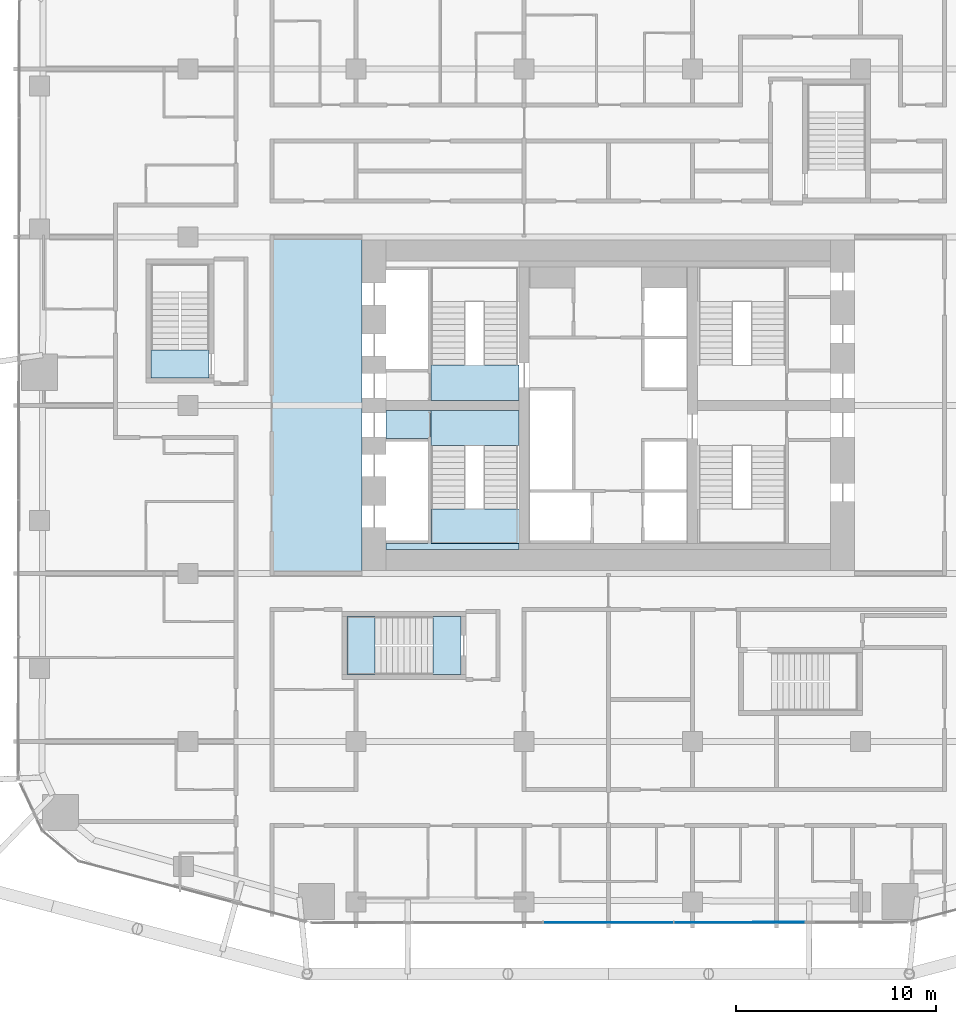
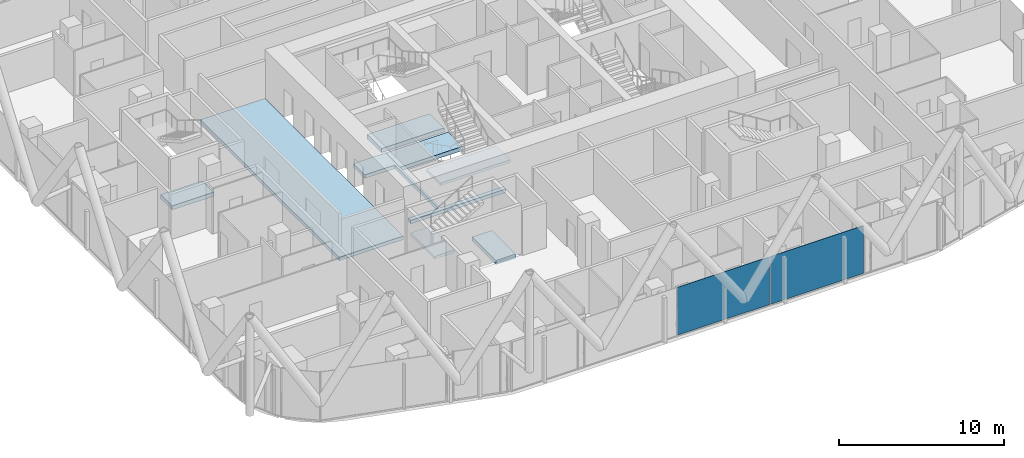
# One storey, part 21 of 38: 8 slabs, 2 plates, 3 elements without a shape of their own.
"""IFC4 building model written with IfcOpenShell, lengths in metres."""

from ifc_helpers import new_model, si_unit, direction, frame, origin, origin_2d, place, context, subcontext, project, spatial, polyline, rectangle, outline, extrude, material, layer, layer_set, type_object, element, aggregate, save


model = new_model("IFC4")

# Units and contexts
model_context = context("Model", 3, precision=1e-05, world=origin(), true_north=direction((0.0, 1.0)))
body_context = subcontext(model_context, "Body", "Model", "MODEL_VIEW")
ifc_project = project(units=[si_unit("LENGTHUNIT", "METRE"), si_unit("AREAUNIT", "SQUARE_METRE"), si_unit("VOLUMEUNIT", "CUBIC_METRE"), si_unit("PLANEANGLEUNIT", "RADIAN"), si_unit("MASSUNIT", "GRAM", prefix="KILO")], contexts=[model_context])

# Site, building, storey
site_placement = place(None, origin())
site = spatial("IfcSite", under=ifc_project, at=site_placement, CompositionType="ELEMENT")
building_placement = place(site_placement, origin())
building = spatial("IfcBuilding", under=site, at=building_placement, Name="Marenta Gate Hotel Tower", CompositionType="ELEMENT")
storey_placement = place(building_placement, frame((0.0, 0.0, 68.89990234375)))
storey = spatial("IfcBuildingStorey", under=building, at=storey_placement, Name="L15", CompositionType="ELEMENT", Elevation=68.89990234375)

# Slabs
ifc_material_1 = material(Name="Concrete C40", Category="concrete")
ifc_layer_1 = layer(ifc_material_1, 0.260009765625)
ifc_layer_set_1 = layer_set([ifc_layer_1], Name="Concrete C40")
slab_type_1 = type_object("IfcSlabType", Name="Core floor slab 260", PredefinedType="FLOOR", material=ifc_layer_set_1)
slab_1_placement = place(storey_placement, frame((0.0, 0.0, -0.260009765625)))
element("IfcSlab", 1, at=slab_1_placement, inside=storey, type_object=slab_type_1, Name="L15-CF-5", PredefinedType="FLOOR", context=body_context, shape_type="SweptSolid", body=[
    extrude(outline(polyline([(-9.0, 1.5), (-9.0, 1.64990234375), (-9.0, 4.050048828125), (-9.0, 4.199951171875), (-9.0, 6.60009765625), (-9.0, 6.75), (-11.10009765625, 6.75), (-11.10009765625, 8.14990234375), (-8.85009765625, 8.14990234375), (-8.85009765625, 8.10009765625), (-8.85009765625, 6.39990234375), (-8.85009765625, 1.5), (-4.449951171875, 1.5), (-4.449951171875, 1.199951171875), (-11.10009765625, 1.199951171875), (-11.10009765625, 1.5), (-9.0, 1.5)])), origin(), (0.0, 0.0, 1.0), 0.260009765625),
])
slab_2_placement = place(storey_placement, frame((0.0, 0.0, -0.260009765625)))
element("IfcSlab", 2, at=slab_2_placement, inside=storey, type_object=slab_type_1, Name="L15-CF-7", PredefinedType="FLOOR", context=body_context, shape_type="SweptSolid", body=[
    extrude(outline(polyline([(-12.300048828125, 16.800048828125), (-12.300048828125, 0.0), (-16.800048828125, 0.0), (-16.800048828125, 16.800048828125), (-12.300048828125, 16.800048828125)])), origin(), (0.0, 0.0, 1.0), 0.260009765625),
])

# Stair, slab
ifc_material_2 = material(Name="Concrete C40", Category="concrete")
stair_type_1 = type_object("IfcStairType", Name="Core exit stair 1700 wide", PredefinedType="HALF_TURN_STAIR", material=ifc_material_2)
stair_1_placement = place(storey_placement, origin())
stair_1 = element("IfcStair", 3, at=stair_1_placement, inside=storey, type_object=stair_type_1, Name="Exit stair 1", PredefinedType="HALF_TURN_STAIR")
ifc_material_3 = material(Name="Concrete C40", Category="concrete")
ifc_layer_2 = layer(ifc_material_3, 0.199951171875)
ifc_layer_set_2 = layer_set([ifc_layer_2], Name="Concrete C40")
slab_type_2 = type_object("IfcSlabType", Name="Core stair landing 200", PredefinedType="LANDING", material=ifc_layer_set_2)
slab_3_placement = place(storey_placement, frame((0.0, 0.0, 1.60009765625)))
slab_3 = element("IfcSlab", 4, at=slab_3_placement, type_object=slab_type_2, Name="SL-200 ST1 landing 1", PredefinedType="LANDING", context=body_context, shape_type="SweptSolid", body=[
    extrude(outline(polyline([(-8.85009765625, 1.5), (-3.949951171875, 1.5), (-3.949951171875, 3.2099609375), (-8.85009765625, 3.2099609375), (-8.85009765625, 1.5)])), origin(), (0.0, 0.0, 1.0), 0.199951171875),
])
aggregate(stair_1, [slab_3])

# Curtain wall, plates
ifc_material_4 = material(Name="Tinted insulated glass in bronze anodised frame", Category="glass")
ifc_layer_3 = layer(ifc_material_4, 0.1201171875)
ifc_layer_set_3 = layer_set([ifc_layer_3], Name="Tinted insulated glass in bronze anodised frame")
curtain_wall_type = type_object("IfcCurtainWallType", Name="Tower unitised curtain wall CW1", PredefinedType="NOTDEFINED", material=ifc_layer_set_3)
curtain_wall_placement = place(storey_placement, origin())
curtain_wall = element("IfcCurtainWall", 5, at=curtain_wall_placement, inside=storey, type_object=curtain_wall_type, Name="CW1 run G20", PredefinedType="NOTDEFINED")
ifc_material_5 = material(Name="Tinted insulated glass", Category="glass")
ifc_layer_4 = layer(ifc_material_5, 0.028076171875)
ifc_layer_set_4 = layer_set([ifc_layer_4], Name="Tinted insulated glass")
plate_type = type_object("IfcPlateType", Name="Glass panel CW1 28 mm tinted insulated unit", PredefinedType="CURTAIN_PANEL", material=ifc_layer_set_4)
plate_1_placement = place(storey_placement, frame((0.007080078125, -17.430419921875, 0.06005859375), z_axis=(0.0, 0.0, 1.0), x_axis=(0.999999323345, 0.001163317936, 0.0)))
plate_1 = element("IfcPlate", 6, at=plate_1_placement, type_object=plate_type, Name="CW1 panel 2.1", PredefinedType="CURTAIN_PANEL", context=body_context, shape_type="SweptSolid", body=[
    extrude(rectangle(XDim=6.47314453125, YDim=0.028076171875, at=origin_2d()), origin(), (0.0, 0.0, 1.0), 3.5400390625),
])
plate_2_placement = place(storey_placement, frame((6.55517578125, -17.4228515625, 0.06005859375), z_axis=(0.0, 0.0, 1.0), x_axis=(0.999999323345, 0.001163317936, 0.0)))
plate_2 = element("IfcPlate", 7, at=plate_2_placement, type_object=plate_type, Name="CW1 panel 3.1", PredefinedType="CURTAIN_PANEL", context=body_context, shape_type="SweptSolid", body=[
    extrude(rectangle(XDim=6.5029296875, YDim=0.028076171875, at=origin_2d()), origin(), (0.0, 0.0, 1.0), 3.5400390625),
])
aggregate(curtain_wall, [plate_1, plate_2])

# Stair, slab
ifc_material_6 = material(Name="Concrete C40", Category="concrete")
stair_type_2 = type_object("IfcStairType", Name="Remote exit stair 1400 wide", PredefinedType="HALF_TURN_STAIR", material=ifc_material_6)
stair_2_placement = place(storey_placement, origin())
stair_2 = element("IfcStair", 8, at=stair_2_placement, inside=storey, type_object=stair_type_2, Name="Exit stair RS-Z1-2", PredefinedType="HALF_TURN_STAIR")
ifc_material_7 = material(Name="Concrete C40", Category="concrete")
ifc_layer_5 = layer(ifc_material_7, 0.199951171875)
ifc_layer_set_5 = layer_set([ifc_layer_5], Name="Concrete C40")
slab_type_3 = type_object("IfcSlabType", Name="Remote stair landing 200", PredefinedType="LANDING", material=ifc_layer_set_5)
slab_4_placement = place(storey_placement, frame((0.0, 0.0, 1.60009765625)))
slab_4 = element("IfcSlab", 9, at=slab_4_placement, type_object=slab_type_3, Name="RL-200 RS-Z1-2 landing 1", PredefinedType="LANDING", context=body_context, shape_type="SweptSolid", body=[
    extrude(outline(polyline([(-13.050048828125, -5.050048828125), (-11.64990234375, -5.050048828125), (-11.64990234375, -2.14990234375), (-13.050048828125, -2.14990234375), (-13.050048828125, -5.050048828125)])), origin(), (0.0, 0.0, 1.0), 0.199951171875),
])
aggregate(stair_2, [slab_4])

# Slabs
ifc_material_8 = material(Name="Concrete C40", Category="concrete")
ifc_layer_6 = layer(ifc_material_8, 0.300048828125)
ifc_layer_set_6 = layer_set([ifc_layer_6], Name="Concrete C40")
slab_type_4 = type_object("IfcSlabType", Name="Stair floor landing slab 300", PredefinedType="FLOOR", material=ifc_layer_set_6)
slab_5_placement = place(storey_placement, frame((0.0, 0.0, -0.2998046875)))
element("IfcSlab", 10, at=slab_5_placement, inside=storey, type_object=slab_type_4, Name="L15-CL-ST1-1", PredefinedType="FLOOR", context=body_context, shape_type="SweptSolid", body=[
    extrude(outline(polyline([(-4.449951171875, 6.39990234375), (-8.85009765625, 6.39990234375), (-8.85009765625, 8.10009765625), (-8.85009765625, 8.14990234375), (-4.449951171875, 8.14990234375), (-4.449951171875, 6.39990234375)])), origin(), (0.0, 0.0, 1.0), 0.2998046875),
])
slab_6_placement = place(storey_placement, frame((0.0, 0.0, -0.2998046875)))
element("IfcSlab", 11, at=slab_6_placement, inside=storey, type_object=slab_type_4, Name="L15-CL-ST2-1", PredefinedType="FLOOR", context=body_context, shape_type="SweptSolid", body=[
    extrude(outline(polyline([(-4.449951171875, 8.64990234375), (-8.85009765625, 8.64990234375), (-8.85009765625, 8.699951171875), (-8.85009765625, 10.39990234375), (-4.449951171875, 10.39990234375), (-4.449951171875, 8.64990234375)])), origin(), (0.0, 0.0, 1.0), 0.2998046875),
])
slab_7_placement = place(storey_placement, frame((0.0, 0.0, -0.2998046875)))
element("IfcSlab", 12, at=slab_7_placement, inside=storey, type_object=slab_type_4, Name="L15-RS-Z1-2-CL", PredefinedType="FLOOR", context=body_context, shape_type="SweptSolid", body=[
    extrude(outline(polyline([(-7.35009765625, -5.050048828125), (-7.35009765625, -2.14990234375), (-8.75, -2.14990234375), (-8.75, -5.050048828125), (-7.35009765625, -5.050048828125)])), origin(), (0.0, 0.0, 1.0), 0.2998046875),
])
slab_8_placement = place(storey_placement, frame((0.0, 0.0, -0.2998046875)))
element("IfcSlab", 13, at=slab_8_placement, inside=storey, type_object=slab_type_4, Name="L15-RS-Z1-3-CL", PredefinedType="FLOOR", context=body_context, shape_type="SweptSolid", body=[
    extrude(outline(polyline([(-19.949951171875, 9.75), (-19.949951171875, 11.14990234375), (-22.85009765625, 11.14990234375), (-22.85009765625, 9.75), (-19.949951171875, 9.75)])), origin(), (0.0, 0.0, 1.0), 0.2998046875),
])

save(model, "model.ifc")
